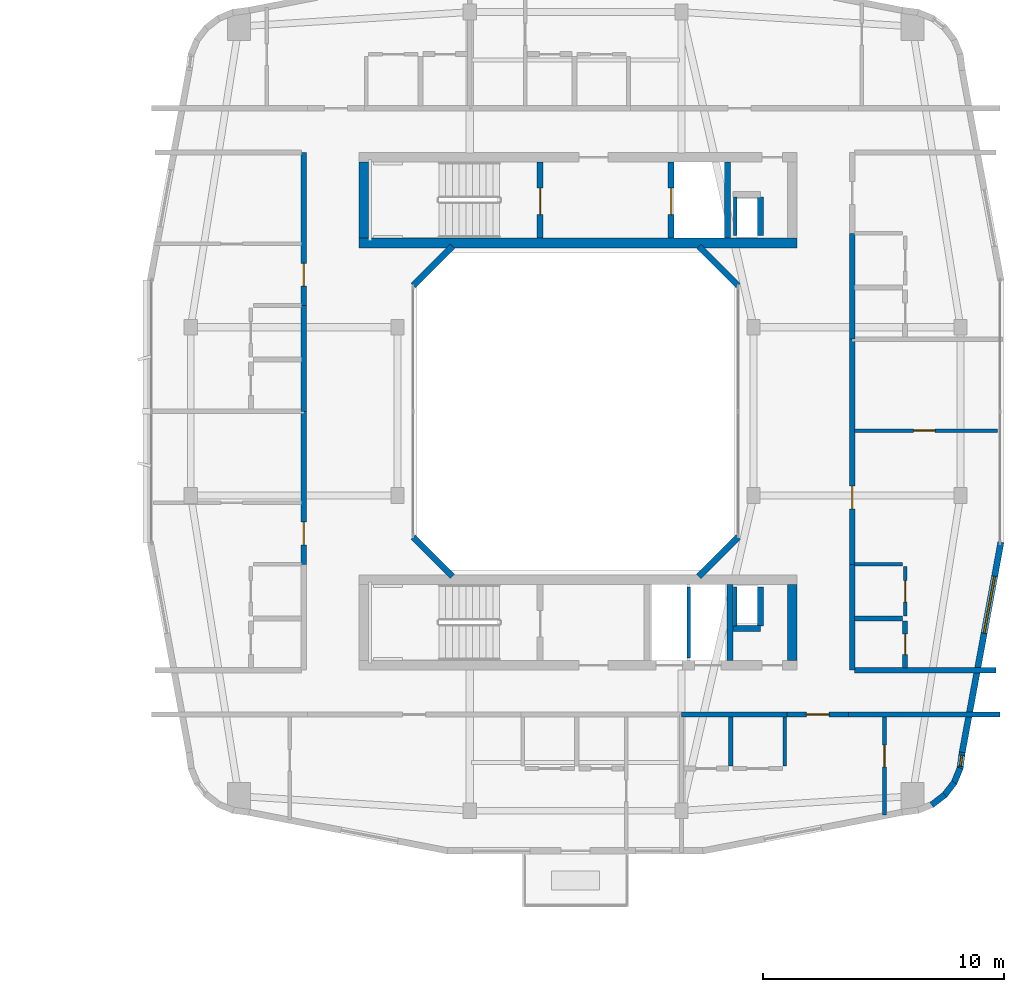
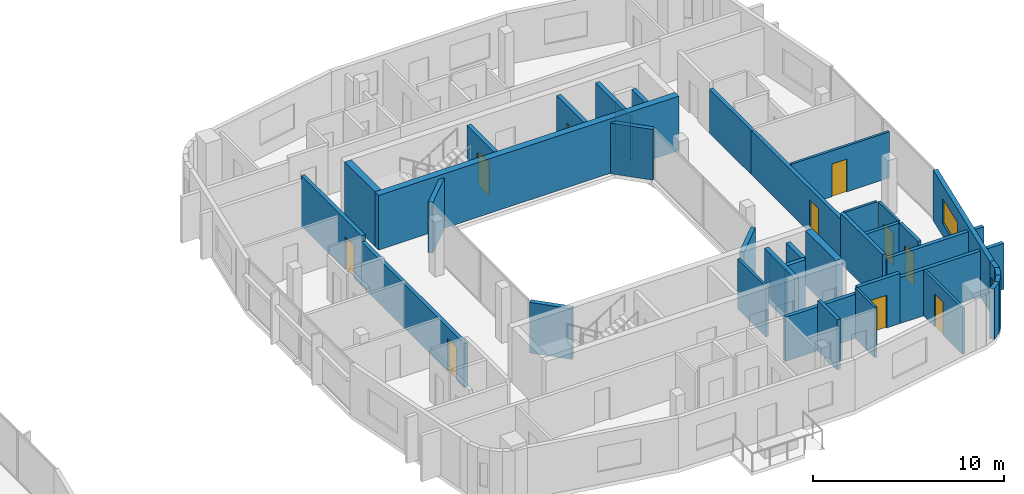
# One storey, part 14 of 22: 40 walls, 10 doors, 2 windows, 12 openings.
"""IFC4 building model written with IfcOpenShell, lengths in metres."""

from ifc_helpers import new_model, si_unit, derived_unit, direction, frame, frame_2d, origin, place, context, subcontext, project, spatial, rectangle, extrude, material, layer, layer_set, type_object, element, fill, save


model = new_model("IFC4")

# Units and contexts
model_context = context("Model", 3, precision=1e-05, world=origin(), true_north=direction((0.0, 1.0)))
body_context = subcontext(model_context, "Body", "Model", "MODEL_VIEW")
ifc_project = project(units=[si_unit("LENGTHUNIT", "METRE"), si_unit("AREAUNIT", "SQUARE_METRE"), si_unit("VOLUMEUNIT", "CUBIC_METRE"), si_unit("PLANEANGLEUNIT", "RADIAN"), si_unit("MASSUNIT", "GRAM", prefix="KILO"), derived_unit("THERMALTRANSMITTANCEUNIT", [(si_unit("POWERUNIT", "WATT"), 1), (si_unit("LENGTHUNIT", "METRE"), -2), (si_unit("THERMODYNAMICTEMPERATUREUNIT", "KELVIN"), -1)])], contexts=[model_context])

# Site, building, storey
site_placement = place(None, origin())
site = spatial("IfcSite", under=ifc_project, at=site_placement, CompositionType="ELEMENT")
building_placement = place(site_placement, origin())
building = spatial("IfcBuilding", under=site, at=building_placement, Name="Kivonza Crest Hotel", CompositionType="ELEMENT")
storey_placement = place(building_placement, frame((0.0, 0.0, 112.5)))
storey = spatial("IfcBuildingStorey", under=building, at=storey_placement, Name="L30", CompositionType="ELEMENT", Elevation=112.5)

# Walls
ifc_material_1 = material(Name="Autoclaved aerated concrete blockwork", Category="masonry")
ifc_layer_1 = layer(ifc_material_1, 0.219970703125)
ifc_layer_set_1 = layer_set([ifc_layer_1], Name="Autoclaved aerated concrete blockwork")
wall_type_1 = type_object("IfcWallType", Name="WL-ACOU-220", PredefinedType="SOLIDWALL", material=ifc_layer_set_1)
wall_1_placement = place(storey_placement, frame((81.39990234375, 12.39990234375, 0.0), z_axis=(0.0, 0.0, 1.0), x_axis=(1.0, 0.0, 0.0)))
element("IfcWall", 1, at=wall_1_placement, inside=storey, type_object=wall_type_1, Name="L30 interior partition WA-L30-A04-LCORR", PredefinedType="SOLIDWALL", context=body_context, shape_type="SweptSolid", body=[
    extrude(rectangle(XDim=4.380126953125, YDim=0.219970703125, at=frame_2d((2.18994140625, 0.0))), origin(), (0.0, 0.0, 1.0), 2.824951171875),
])
wall_2_placement = place(storey_placement, frame((88.35009765625, 12.39990234375, 0.0), z_axis=(0.0, 0.0, 1.0), x_axis=(1.0, 0.0, 0.0)))
element("IfcWall", 2, at=wall_2_placement, inside=storey, type_object=wall_type_1, Name="L30 interior partition WA-L30-A04-RCORR", PredefinedType="SOLIDWALL", context=body_context, shape_type="SweptSolid", body=[
    extrude(rectangle(XDim=6.289794921875, YDim=0.219970703125, at=frame_2d((3.14501953125, 0.0))), origin(), (0.0, 0.0, 1.0), 2.945068359375),
])

# Wall, opening, door
wall_3_placement = place(storey_placement, frame((85.780029296875, 12.39990234375, 0.0), z_axis=(0.0, 0.0, 1.0), x_axis=(1.0, 0.0, 0.0)))
wall_3 = element("IfcWall", 3, at=wall_3_placement, inside=storey, type_object=wall_type_1, Name="L30 interior partition WA-L30-A04-MCORR", PredefinedType="SOLIDWALL", context=body_context, shape_type="SweptSolid", body=[
    extrude(rectangle(XDim=2.570068359375, YDim=0.219970703125, at=frame_2d((1.28515625, 0.0))), origin(), (0.0, 0.0, 1.0), 3.219970703125),
])
opening_1_placement = place(wall_3_placement, frame((0.81005859375, 0.0, 0.0)))
opening_1 = element("IfcOpeningElement", 4, at=opening_1_placement, cuts=wall_3, Name="Opening DU-60", PredefinedType="OPENING", context=body_context, shape_type="SweptSolid", body=[
    extrude(rectangle(XDim=0.949951171875, YDim=2.10009765625, at=frame_2d((0.47509765625, 1.050048828125))), frame((0.0, 0.1201171875, 0.0), z_axis=(0.0, -1.0, 0.0), x_axis=(1.0, 0.0, 0.0)), (0.0, 0.0, 1.0), 0.239990234375),
])
ifc_material_2 = material(Name="Hardwood timber oak", Category="wood")
door_type_1 = type_object("IfcDoorType", Name="DR-UNIT-950", OperationType="NOTDEFINED", PredefinedType="DOOR", material=ifc_material_2)
door_1_placement = place(opening_1_placement, frame((0.949951171875, 0.0, 0.0), z_axis=(0.0, 0.0, 1.0), x_axis=(-1.0, 0.0, 0.0)))
door_1 = element("IfcDoor", 5, at=door_1_placement, inside=storey, type_object=door_type_1, Name="L30 A04 apartment entrance fire door", OperationType="SINGLE_SWING_RIGHT", OverallHeight=2.10009765625, OverallWidth=0.949951171875, PredefinedType="DOOR", context=body_context, shape_type="SweptSolid", body=[
    extrude(rectangle(XDim=0.949951171875, YDim=2.10009765625, at=frame_2d((0.47509765625, 1.050048828125))), frame((0.0, 0.02490234375, 0.0), z_axis=(0.0, -1.0, 0.0), x_axis=(1.0, 0.0, 0.0)), (0.0, 0.0, 1.0), 0.050048828125),
])
fill(opening_1, door_1)

wall_4_placement = place(storey_placement, frame((65.699951171875, 18.639892578125, 0.0), z_axis=(0.0, 0.0, 1.0), x_axis=(0.0, 1.0, 0.0)))
wall_4 = element("IfcWall", 6, at=wall_4_placement, inside=storey, type_object=wall_type_1, Name="L30 interior partition WA-L30-A05-MCORR", PredefinedType="SOLIDWALL", context=body_context, shape_type="SweptSolid", body=[
    extrude(rectangle(XDim=6.360107421875, YDim=0.219970703125, at=frame_2d((3.18017578125, 0.0))), origin(), (0.0, 0.0, 1.0), 2.824951171875),
])
opening_2_placement = place(wall_4_placement, frame((0.804931640625, 0.0, 0.0)))
opening_2 = element("IfcOpeningElement", 7, at=opening_2_placement, cuts=wall_4, Name="Opening DU-60", PredefinedType="OPENING", context=body_context, shape_type="SweptSolid", body=[
    extrude(rectangle(XDim=0.949951171875, YDim=2.10009765625, at=frame_2d((0.47509765625, 1.050048828125))), frame((0.0, 0.1201171875, 0.0), z_axis=(0.0, -1.0, 0.0), x_axis=(1.0, 0.0, 0.0)), (0.0, 0.0, 1.0), 0.239990234375),
])
door_2_placement = place(opening_2_placement, origin())
door_2 = element("IfcDoor", 8, at=door_2_placement, inside=storey, type_object=door_type_1, Name="L30 A05 apartment entrance fire door", OperationType="SINGLE_SWING_LEFT", OverallHeight=2.10009765625, OverallWidth=0.949951171875, PredefinedType="DOOR", context=body_context, shape_type="SweptSolid", body=[
    extrude(rectangle(XDim=0.949951171875, YDim=2.10009765625, at=frame_2d((0.47509765625, 1.050048828125))), frame((0.0, 0.02490234375, 0.0), z_axis=(0.0, -1.0, 0.0), x_axis=(1.0, 0.0, 0.0)), (0.0, 0.0, 1.0), 0.050048828125),
])
fill(opening_2, door_2)

# Wall
wall_5_placement = place(storey_placement, frame((65.699951171875, 25.0, 0.0), z_axis=(0.0, 0.0, 1.0), x_axis=(0.0, 1.0, 0.0)))
element("IfcWall", 9, at=wall_5_placement, inside=storey, type_object=wall_type_1, Name="L30 interior partition WA-L30-A06-BCORR", PredefinedType="SOLIDWALL", context=body_context, shape_type="SweptSolid", body=[
    extrude(rectangle(XDim=4.39990234375, YDim=0.219970703125, at=frame_2d((2.199951171875, 0.0))), origin(), (0.0, 0.0, 1.0), 2.824951171875),
])

# Wall, opening, door
wall_6_placement = place(storey_placement, frame((65.699951171875, 29.39990234375, 0.0), z_axis=(0.0, 0.0, 1.0), x_axis=(0.0, 1.0, 0.0)))
wall_6 = element("IfcWall", 10, at=wall_6_placement, inside=storey, type_object=wall_type_1, Name="L30 interior partition WA-L30-A06-MCORR", PredefinedType="SOLIDWALL", context=body_context, shape_type="SweptSolid", body=[
    extrude(rectangle(XDim=6.360107421875, YDim=0.219970703125, at=frame_2d((3.18017578125, 0.0))), origin(), (0.0, 0.0, 1.0), 3.219970703125),
])
opening_3_placement = place(wall_6_placement, frame((0.804931640625, 0.0, 0.0)))
opening_3 = element("IfcOpeningElement", 11, at=opening_3_placement, cuts=wall_6, Name="Opening DU-60", PredefinedType="OPENING", context=body_context, shape_type="SweptSolid", body=[
    extrude(rectangle(XDim=0.949951171875, YDim=2.10009765625, at=frame_2d((0.47509765625, 1.050048828125))), frame((0.0, 0.1201171875, 0.0), z_axis=(0.0, -1.0, 0.0), x_axis=(1.0, 0.0, 0.0)), (0.0, 0.0, 1.0), 0.239990234375),
])
door_3_placement = place(opening_3_placement, origin())
door_3 = element("IfcDoor", 12, at=door_3_placement, inside=storey, type_object=door_type_1, Name="L30 A06 apartment entrance fire door", OperationType="SINGLE_SWING_RIGHT", OverallHeight=2.10009765625, OverallWidth=0.949951171875, PredefinedType="DOOR", context=body_context, shape_type="SweptSolid", body=[
    extrude(rectangle(XDim=0.949951171875, YDim=2.10009765625, at=frame_2d((0.47509765625, 1.050048828125))), frame((0.0, 0.02490234375, 0.0), z_axis=(0.0, -1.0, 0.0), x_axis=(1.0, 0.0, 0.0)), (0.0, 0.0, 1.0), 0.050048828125),
])
fill(opening_3, door_3)

# Walls
wall_7_placement = place(storey_placement, frame((88.60009765625, 14.239990234375, 0.0), z_axis=(0.0, 0.0, 1.0), x_axis=(1.0, 0.0, 0.0)))
element("IfcWall", 13, at=wall_7_placement, inside=storey, type_object=wall_type_1, Name="L30 interior partition WA-L30-T2E-ENDS", PredefinedType="SOLIDWALL", context=body_context, shape_type="SweptSolid", body=[
    extrude(rectangle(XDim=5.8798828125, YDim=0.219970703125, at=frame_2d((2.93994140625, 0.0))), origin(), (0.0, 0.0, 1.0), 2.945068359375),
])
wall_8_placement = place(storey_placement, frame((88.5, 14.239990234375, 0.0), z_axis=(0.0, 0.0, 1.0), x_axis=(0.0, 1.0, 0.0)))
element("IfcWall", 14, at=wall_8_placement, inside=storey, type_object=wall_type_1, Name="L30 interior partition WA-L30-A07-BCORR", PredefinedType="SOLIDWALL", context=body_context, shape_type="SweptSolid", body=[
    extrude(rectangle(XDim=4.39990234375, YDim=0.219970703125, at=frame_2d((2.199951171875, 0.0))), origin(), (0.0, 0.0, 1.0), 3.219970703125),
])

# Wall, opening, door
wall_9_placement = place(storey_placement, frame((88.5, 18.639892578125, 0.0), z_axis=(0.0, 0.0, 1.0), x_axis=(0.0, 1.0, 0.0)))
wall_9 = element("IfcWall", 15, at=wall_9_placement, inside=storey, type_object=wall_type_1, Name="L30 interior partition WA-L30-A07-MCORR", PredefinedType="SOLIDWALL", context=body_context, shape_type="SweptSolid", body=[
    extrude(rectangle(XDim=9.360107421875, YDim=0.219970703125, at=frame_2d((4.68017578125, 0.0))), origin(), (0.0, 0.0, 1.0), 2.824951171875),
])
opening_4_placement = place(wall_9_placement, frame((2.304931640625, 0.0, 0.0)))
opening_4 = element("IfcOpeningElement", 16, at=opening_4_placement, cuts=wall_9, Name="Opening DU-60", PredefinedType="OPENING", context=body_context, shape_type="SweptSolid", body=[
    extrude(rectangle(XDim=0.949951171875, YDim=2.10009765625, at=frame_2d((0.47509765625, 1.050048828125))), frame((0.0, 0.1201171875, 0.0), z_axis=(0.0, -1.0, 0.0), x_axis=(1.0, 0.0, 0.0)), (0.0, 0.0, 1.0), 0.239990234375),
])
door_4_placement = place(opening_4_placement, frame((0.949951171875, 0.0, 0.0), z_axis=(0.0, 0.0, 1.0), x_axis=(-1.0, 0.0, 0.0)))
door_4 = element("IfcDoor", 17, at=door_4_placement, inside=storey, type_object=door_type_1, Name="L30 A07 apartment entrance fire door", OperationType="SINGLE_SWING_LEFT", OverallHeight=2.10009765625, OverallWidth=0.949951171875, PredefinedType="DOOR", context=body_context, shape_type="SweptSolid", body=[
    extrude(rectangle(XDim=0.949951171875, YDim=2.10009765625, at=frame_2d((0.47509765625, 1.050048828125))), frame((0.0, 0.02490234375, 0.0), z_axis=(0.0, -1.0, 0.0), x_axis=(1.0, 0.0, 0.0)), (0.0, 0.0, 1.0), 0.050048828125),
])
fill(opening_4, door_4)

# Walls
wall_10_placement = place(storey_placement, frame((88.5, 28.0, 0.0), z_axis=(0.0, 0.0, 1.0), x_axis=(0.0, 1.0, 0.0)))
element("IfcWall", 18, at=wall_10_placement, inside=storey, type_object=wall_type_1, Name="L30 interior partition WA-L30-A08-BCORR", PredefinedType="SOLIDWALL", context=body_context, shape_type="SweptSolid", body=[
    extrude(rectangle(XDim=4.39990234375, YDim=0.219970703125, at=frame_2d((2.199951171875, 0.0))), origin(), (0.0, 0.0, 1.0), 2.824951171875),
])
ifc_material_3 = material(Name="Concrete C50/60", Category="concrete")
ifc_layer_2 = layer(ifc_material_3, 0.39990234375)
ifc_layer_set_2 = layer_set([ifc_layer_2], Name="Concrete C50/60")
wall_type_2 = type_object("IfcWallType", Name="WL-CORE-400", PredefinedType="SHEAR", material=ifc_layer_set_2)
wall_11_placement = place(storey_placement, frame((68.0, 32.0, 0.0), z_axis=(0.0, 0.0, 1.0), x_axis=(1.0, 0.0, 0.0)))
element("IfcWall", 19, at=wall_11_placement, inside=storey, type_object=wall_type_2, Name="Core wall T2-N South L30", PredefinedType="SHEAR", context=body_context, shape_type="SweptSolid", body=[
    extrude(rectangle(XDim=18.199951171875, YDim=0.39990234375, at=frame_2d((9.10009765625, 0.0))), origin(), (0.0, 0.0, 1.0), 3.5),
])
for number, where, z_axis, x_axis, name in (
    (20, (68.199951171875, 32.199951171875, 0.0), (0.0, 0.0, 1.0), (0.0, 1.0, 0.0), "Core wall T2-N West L30"),
    (21, (86.0, 14.639892578125, 0.0), (0.0, 0.0, 1.0), (0.0, 1.0, 0.0), "Core wall T2-S East L30"),
):
    element("IfcWall", number, at=place(storey_placement, frame(where, z_axis=z_axis, x_axis=x_axis)), inside=storey, type_object=wall_type_2, Name=name, PredefinedType="SHEAR", context=body_context, shape_type="SweptSolid", body=[
        extrude(rectangle(XDim=3.16015625, YDim=0.39990234375, at=frame_2d((1.580078125, 0.0))), origin(), (0.0, 0.0, 1.0), 3.5),
    ])
ifc_material_4 = material(Name="Precast concrete C40/50", Category="concrete")
ifc_layer_3 = layer(ifc_material_4, 0.260009765625)
ifc_layer_set_3 = layer_set([ifc_layer_3], Name="Precast concrete C40/50")
wall_type_3 = type_object("IfcWallType", Name="WL-EXT-260", PredefinedType="STANDARD", material=ifc_layer_set_3)
for number, where, z_axis, x_axis, name in (
    (22, (91.801025390625, 8.635986328125, 0.0), (0.0, 0.0, 1.0), (0.792637067512, 0.609693758543, 0.0), "L30 T2 exterior insulated wall 12"),
    (23, (92.320068359375, 9.02099609375, 0.0), (0.0, 0.0, 1.0), (0.609472651958, 0.792807092876, 0.0), "L30 T2 exterior insulated wall 13"),
):
    element("IfcWall", number, at=place(storey_placement, frame(where, z_axis=z_axis, x_axis=x_axis)), inside=storey, type_object=wall_type_3, Name=name, PredefinedType="STANDARD", context=body_context, shape_type="SweptSolid", body=[
        extrude(rectangle(XDim=0.69384765625, YDim=0.260009765625, at=frame_2d((0.346923828125, 0.0))), origin(), (0.0, 0.0, 1.0), 3.25),
    ])
wall_12_placement = place(storey_placement, frame((92.721923828125, 9.527099609375, 0.0), z_axis=(0.0, 0.0, 1.0), x_axis=(0.382289608286, 0.924042561464, 0.0)))
element("IfcWall", 24, at=wall_12_placement, inside=storey, type_object=wall_type_3, Name="L30 T2 exterior insulated wall 14", PredefinedType="STANDARD", context=body_context, shape_type="SweptSolid", body=[
    extrude(rectangle(XDim=0.693603515625, YDim=0.260009765625, at=frame_2d((0.3466796875, 0.0))), origin(), (0.0, 0.0, 1.0), 3.25),
])

# Wall, opening, window
wall_13_placement = place(storey_placement, frame((92.97900390625, 10.118896484375, 0.0), z_axis=(0.0, 0.0, 1.0), x_axis=(0.130614135366, 0.991433279471, 0.0)))
wall_13 = element("IfcWall", 25, at=wall_13_placement, inside=storey, type_object=wall_type_3, Name="L30 T2 exterior insulated wall 15", PredefinedType="STANDARD", context=body_context, shape_type="SweptSolid", body=[
    extrude(rectangle(XDim=0.712158203125, YDim=0.260009765625, at=frame_2d((0.35595703125, 0.0))), origin(), (0.0, 0.0, 1.0), 3.25),
])
opening_5_placement = place(wall_13_placement, frame((0.131103515625, 0.0, 0.85009765625)))
opening_5 = element("IfcOpeningElement", 26, at=opening_5_placement, cuts=wall_13, Name="Opening WN-11", PredefinedType="OPENING", context=body_context, shape_type="SweptSolid", body=[
    extrude(rectangle(XDim=0.449951171875, YDim=1.5, at=frame_2d((0.22509765625, 0.75))), frame((0.0, 0.14013671875, 0.0), z_axis=(0.0, -1.0, 0.0), x_axis=(1.0, 0.0, 0.0)), (0.0, 0.0, 1.0), 0.280029296875),
])
ifc_material_5 = material(Name="Thermally broken bronze aluminium and low-E double glazing", Category="aluminium")
window_type_1 = type_object("IfcWindowType", Name="WN-045x150", PartitioningType="SINGLE_PANEL", PredefinedType="WINDOW", material=ifc_material_5)
window_1_placement = place(opening_5_placement, origin())
window_1 = element("IfcWindow", 27, at=window_1_placement, inside=storey, type_object=window_type_1, Name="L30 corner vision window 4", OverallHeight=1.5, OverallWidth=0.449951171875, PartitioningType="SINGLE_PANEL", PredefinedType="WINDOW", context=body_context, shape_type="SweptSolid", body=[
    extrude(rectangle(XDim=0.449951171875, YDim=1.5, at=frame_2d((0.22509765625, 0.75))), frame((0.0, 0.030029296875, 0.0), z_axis=(0.0, -1.0, 0.0), x_axis=(1.0, 0.0, 0.0)), (0.0, 0.0, 1.0), 0.06005859375),
])
fill(opening_5, window_1)

wall_14_placement = place(storey_placement, frame((93.071044921875, 10.81591796875, 0.0), z_axis=(0.0, 0.0, 1.0), x_axis=(0.181209963057, 0.983444431215, 0.0)))
wall_14 = element("IfcWall", 28, at=wall_14_placement, inside=storey, type_object=wall_type_3, Name="L30 T2 exterior insulated wall 16", PredefinedType="STANDARD", context=body_context, shape_type="SweptSolid", body=[
    extrude(rectangle(XDim=8.889404296875, YDim=0.260009765625, at=frame_2d((4.44482421875, 0.0))), origin(), (0.0, 0.0, 1.0), 3.25),
])
opening_6_placement = place(wall_14_placement, frame((5.044921875, 0.0, 0.800048828125)))
opening_6 = element("IfcOpeningElement", 29, at=opening_6_placement, cuts=wall_14, Name="Opening WN-05", PredefinedType="OPENING", context=body_context, shape_type="SweptSolid", body=[
    extrude(rectangle(XDim=2.39990234375, YDim=1.60009765625, at=frame_2d((1.199951171875, 0.800048828125))), frame((0.0, 0.14013671875, 0.0), z_axis=(0.0, -1.0, 0.0), x_axis=(1.0, 0.0, 0.0)), (0.0, 0.0, 1.0), 0.280029296875),
])
window_type_2 = type_object("IfcWindowType", Name="WN-240x160", PartitioningType="TRIPLE_PANEL_VERTICAL", PredefinedType="WINDOW", material=ifc_material_5)
window_2_placement = place(opening_6_placement, origin())
window_2 = element("IfcWindow", 30, at=window_2_placement, inside=storey, type_object=window_type_2, Name="L30 T2 facade window 16", OverallHeight=1.60009765625, OverallWidth=2.39990234375, PartitioningType="SINGLE_PANEL", PredefinedType="WINDOW", context=body_context, shape_type="SweptSolid", body=[
    extrude(rectangle(XDim=2.39990234375, YDim=1.60009765625, at=frame_2d((1.199951171875, 0.800048828125))), frame((0.0, 0.030029296875, 0.0), z_axis=(0.0, -1.0, 0.0), x_axis=(1.0, 0.0, 0.0)), (0.0, 0.0, 1.0), 0.06005859375),
])
fill(opening_6, window_2)

# Walls
for number, where, z_axis, x_axis, name in (
    (31, (82.1220703125, 18.137939453125, 0.0), (0.0, 0.0, 1.0), (0.707106781187, 0.707106781187, 0.0), "L30 T2 light-well exterior wall 2"),
    (32, (83.756103515625, 30.22802734375, 0.0), (0.0, 0.0, 1.0), (-0.707106781187, 0.707106781187, 0.0), "L30 T2 light-well exterior wall 4"),
    (33, (71.8779296875, 31.862060546875, 0.0), (0.0, 0.0, 1.0), (-0.707106781187, -0.707106781187, 0.0), "L30 T2 light-well exterior wall 6"),
    (34, (70.243896484375, 19.77197265625, 0.0), (0.0, 0.0, 1.0), (0.707106781187, -0.707106781187, 0.0), "L30 T2 light-well exterior wall 8"),
):
    element("IfcWall", number, at=place(storey_placement, frame(where, z_axis=z_axis, x_axis=x_axis)), inside=storey, type_object=wall_type_3, Name=name, PredefinedType="STANDARD", context=body_context, shape_type="SweptSolid", body=[
        extrude(rectangle(XDim=2.310791015625, YDim=0.260009765625, at=frame_2d((1.1552734375, 0.0))), origin(), (0.0, 0.0, 1.0), 3.25),
    ])
ifc_material_6 = material(Name="Concrete blockwork fire-compartment wall", Category="masonry")
ifc_layer_4 = layer(ifc_material_6, 0.25)
ifc_layer_set_4 = layer_set([ifc_layer_4], Name="Concrete blockwork fire-compartment wall")
wall_type_4 = type_object("IfcWallType", Name="WL-FIRE-250", PredefinedType="SOLIDWALL", material=ifc_layer_set_4)
for number, where, z_axis, x_axis, name in (
    (35, (84.679931640625, 32.300048828125, 0.0), (0.0, 0.0, 1.0), (0.0, 1.0, 0.0), "L30 interior partition WA-L30-T2-N-MEPR-E"),
    (36, (84.679931640625, 16.080078125, 0.0), (0.0, 0.0, 1.0), (0.0, 1.0, 0.0), "L30 interior partition WA-L30-T2-S-MEPR-E"),
):
    element("IfcWall", number, at=place(storey_placement, frame(where, z_axis=z_axis, x_axis=x_axis)), inside=storey, type_object=wall_type_4, Name=name, PredefinedType="SOLIDWALL", context=body_context, shape_type="SweptSolid", body=[
        extrude(rectangle(XDim=1.619873046875, YDim=0.25, at=frame_2d((0.81005859375, 0.0))), origin(), (0.0, 0.0, 1.0), 3.219970703125),
    ])
wall_15_placement = place(storey_placement, frame((83.550048828125, 15.97998046875, 0.0), z_axis=(0.0, 0.0, 1.0), x_axis=(1.0, 0.0, 0.0)))
element("IfcWall", 37, at=wall_15_placement, inside=storey, type_object=wall_type_4, Name="L30 interior partition WA-L30-T2-S-MEPR-H", PredefinedType="SOLIDWALL", context=body_context, shape_type="SweptSolid", body=[
    extrude(rectangle(XDim=1.1298828125, YDim=0.25, at=frame_2d((0.56494140625, 0.0))), origin(), (0.0, 0.0, 1.0), 3.219970703125),
])
ifc_material_7 = material(Name="Twin-stud acoustic gypsum board partition", Category="gypsum")
ifc_layer_5 = layer(ifc_material_7, 0.14990234375)
ifc_layer_set_5 = layer_set([ifc_layer_5], Name="Twin-stud acoustic gypsum board partition")
wall_type_5 = type_object("IfcWallType", Name="WL-PART-150", PredefinedType="PARTITIONING", material=ifc_layer_set_5)
for number, where, z_axis, x_axis, name in (
    (38, (83.6298828125, 32.300048828125, 0.0), (0.0, 0.0, 1.0), (0.0, 1.0, 0.0), "L30 interior partition WA-L30-T2-N-MEPR-W"),
    (39, (83.6298828125, 16.080078125, 0.0), (0.0, 0.0, 1.0), (0.0, 1.0, 0.0), "L30 interior partition WA-L30-T2-S-MEPR-W"),
):
    element("IfcWall", number, at=place(storey_placement, frame(where, z_axis=z_axis, x_axis=x_axis)), inside=storey, type_object=wall_type_5, Name=name, PredefinedType="PARTITIONING", context=body_context, shape_type="SweptSolid", body=[
        extrude(rectangle(XDim=1.619873046875, YDim=0.14990234375, at=frame_2d((0.81005859375, 0.0))), origin(), (0.0, 0.0, 1.0), 2.824951171875),
    ])
wall_16_placement = place(storey_placement, frame((81.699951171875, 14.739990234375, 0.0), z_axis=(0.0, 0.0, 1.0), x_axis=(0.0, 1.0, 0.0)))
element("IfcWall", 40, at=wall_16_placement, inside=storey, type_object=wall_type_5, Name="L30 interior partition WP-L30-T2-S-BSH-1", PredefinedType="PARTITIONING", context=body_context, shape_type="SweptSolid", body=[
    extrude(rectangle(XDim=2.9599609375, YDim=0.14990234375, at=frame_2d((1.47998046875, 0.0))), origin(), (0.0, 0.0, 1.0), 3.219970703125),
])

# Wall, opening, door
wall_17_placement = place(storey_placement, frame((89.840087890625, 8.214111328125, 0.0), z_axis=(0.0, 0.0, 1.0), x_axis=(0.0, 1.0, 0.0)))
wall_17 = element("IfcWall", 41, at=wall_17_placement, inside=storey, type_object=wall_type_5, Name="L30 interior partition WP-L30-A04-BDW1", PredefinedType="PARTITIONING", context=body_context, shape_type="SweptSolid", body=[
    extrude(rectangle(XDim=4.0859375, YDim=0.14990234375, at=frame_2d((2.04296875, 0.0))), origin(), (0.0, 0.0, 1.0), 2.945068359375),
])
opening_7_placement = place(wall_17_placement, frame((2.010009765625, 0.0, 0.0)))
opening_7 = element("IfcOpeningElement", 42, at=opening_7_placement, cuts=wall_17, Name="Opening DI-90", PredefinedType="OPENING", context=body_context, shape_type="SweptSolid", body=[
    extrude(rectangle(XDim=0.89990234375, YDim=2.10009765625, at=frame_2d((0.449951171875, 1.050048828125))), frame((0.0, 0.0849609375, 0.0), z_axis=(0.0, -1.0, 0.0), x_axis=(1.0, 0.0, 0.0)), (0.0, 0.0, 1.0), 0.169921875),
])
door_type_2 = type_object("IfcDoorType", Name="DR-INT-900", OperationType="NOTDEFINED", PredefinedType="DOOR", material=ifc_material_2)
door_5_placement = place(opening_7_placement, origin())
door_5 = element("IfcDoor", 43, at=door_5_placement, inside=storey, type_object=door_type_2, Name="L30 A04 bedroom 1 door", OperationType="SINGLE_SWING_LEFT", OverallHeight=2.10009765625, OverallWidth=0.89990234375, PredefinedType="DOOR", context=body_context, shape_type="SweptSolid", body=[
    extrude(rectangle(XDim=0.89990234375, YDim=2.10009765625, at=frame_2d((0.449951171875, 1.050048828125))), frame((0.0, 0.02490234375, 0.0), z_axis=(0.0, -1.0, 0.0), x_axis=(1.0, 0.0, 0.0)), (0.0, 0.0, 1.0), 0.050048828125),
])
fill(opening_7, door_5)

# Wall
wall_18_placement = place(storey_placement, frame((85.699951171875, 10.25, 0.0), z_axis=(0.0, 0.0, 1.0), x_axis=(0.0, 1.0, 0.0)))
element("IfcWall", 44, at=wall_18_placement, inside=storey, type_object=wall_type_5, Name="L30 interior partition WP-L30-A04-KF", PredefinedType="PARTITIONING", context=body_context, shape_type="SweptSolid", body=[
    extrude(rectangle(XDim=2.050048828125, YDim=0.14990234375, at=frame_2d((1.02490234375, 0.0))), origin(), (0.0, 0.0, 1.0), 3.219970703125),
])

# Wall, opening, door
wall_19_placement = place(storey_placement, frame((88.60009765625, 24.199951171875, 0.0), z_axis=(0.0, 0.0, 1.0), x_axis=(1.0, 0.0, 0.0)))
wall_19 = element("IfcWall", 45, at=wall_19_placement, inside=storey, type_object=wall_type_5, Name="L30 interior partition WP-L30-A07-BD1", PredefinedType="PARTITIONING", context=body_context, shape_type="SweptSolid", body=[
    extrude(rectangle(XDim=5.93994140625, YDim=0.14990234375, at=frame_2d((2.969970703125, 0.0))), origin(), (0.0, 0.0, 1.0), 2.945068359375),
])
opening_8_placement = place(wall_19_placement, frame((2.449951171875, 0.0, 0.0)))
opening_8 = element("IfcOpeningElement", 46, at=opening_8_placement, cuts=wall_19, Name="Opening DI-90", PredefinedType="OPENING", context=body_context, shape_type="SweptSolid", body=[
    extrude(rectangle(XDim=0.89990234375, YDim=2.10009765625, at=frame_2d((0.449951171875, 1.050048828125))), frame((0.0, 0.0849609375, 0.0), z_axis=(0.0, -1.0, 0.0), x_axis=(1.0, 0.0, 0.0)), (0.0, 0.0, 1.0), 0.169921875),
])
door_6_placement = place(opening_8_placement, origin())
door_6 = element("IfcDoor", 47, at=door_6_placement, inside=storey, type_object=door_type_2, Name="L30 A07 bedroom door", OperationType="SINGLE_SWING_RIGHT", OverallHeight=2.10009765625, OverallWidth=0.89990234375, PredefinedType="DOOR", context=body_context, shape_type="SweptSolid", body=[
    extrude(rectangle(XDim=0.89990234375, YDim=2.10009765625, at=frame_2d((0.449951171875, 1.050048828125))), frame((0.0, 0.02490234375, 0.0), z_axis=(0.0, -1.0, 0.0), x_axis=(1.0, 0.0, 0.0)), (0.0, 0.0, 1.0), 0.050048828125),
])
fill(opening_8, door_6)

# Wall
wall_20_placement = place(storey_placement, frame((88.60009765625, 18.639892578125, 0.0), z_axis=(0.0, 0.0, 1.0), x_axis=(1.0, 0.0, 0.0)))
element("IfcWall", 48, at=wall_20_placement, inside=storey, type_object=wall_type_5, Name="L30 interior partition WP-L30-A07-KF", PredefinedType="PARTITIONING", context=body_context, shape_type="SweptSolid", body=[
    extrude(rectangle(XDim=2.0, YDim=0.14990234375, at=frame_2d((1.0, 0.0))), origin(), (0.0, 0.0, 1.0), 3.219970703125),
])

# Wall, opening, door
wall_21_placement = place(storey_placement, frame((90.699951171875, 16.489990234375, 0.0), z_axis=(0.0, 0.0, 1.0), x_axis=(0.0, 1.0, 0.0)))
wall_21 = element("IfcWall", 49, at=wall_21_placement, inside=storey, type_object=wall_type_5, Name="L30 interior partition WP-L30-A07-KSVC", PredefinedType="PARTITIONING", context=body_context, shape_type="SweptSolid", body=[
    extrude(rectangle(XDim=2.050048828125, YDim=0.14990234375, at=frame_2d((1.02490234375, 0.0))), origin(), (0.0, 0.0, 1.0), 3.219970703125),
])
opening_9_placement = place(wall_21_placement, frame((0.574951171875, 0.0, 0.0)))
opening_9 = element("IfcOpeningElement", 50, at=opening_9_placement, cuts=wall_21, Name="Opening DI-90", PredefinedType="OPENING", context=body_context, shape_type="SweptSolid", body=[
    extrude(rectangle(XDim=0.89990234375, YDim=2.10009765625, at=frame_2d((0.449951171875, 1.050048828125))), frame((0.0, 0.0849609375, 0.0), z_axis=(0.0, -1.0, 0.0), x_axis=(1.0, 0.0, 0.0)), (0.0, 0.0, 1.0), 0.169921875),
])
door_7_placement = place(opening_9_placement, frame((0.89990234375, 0.0, 0.0), z_axis=(0.0, 0.0, 1.0), x_axis=(-1.0, 0.0, 0.0)))
door_7 = element("IfcDoor", 51, at=door_7_placement, inside=storey, type_object=door_type_2, Name="L30 A07 apartment kitchen door", OperationType="SINGLE_SWING_LEFT", OverallHeight=2.10009765625, OverallWidth=0.89990234375, PredefinedType="DOOR", context=body_context, shape_type="SweptSolid", body=[
    extrude(rectangle(XDim=0.89990234375, YDim=2.10009765625, at=frame_2d((0.449951171875, 1.050048828125))), frame((0.0, 0.02490234375, 0.0), z_axis=(0.0, -1.0, 0.0), x_axis=(1.0, 0.0, 0.0)), (0.0, 0.0, 1.0), 0.050048828125),
])
fill(opening_9, door_7)

# Walls
ifc_material_8 = material(Name="Moisture-resistant plumbing chase partition wall", Category="gypsum")
ifc_layer_6 = layer(ifc_material_8, 0.199951171875)
ifc_layer_set_6 = layer_set([ifc_layer_6], Name="Moisture-resistant plumbing chase partition wall")
wall_type_6 = type_object("IfcWallType", Name="WL-PLUMB-200", PredefinedType="PLUMBINGWALL", material=ifc_layer_set_6)
wall_22_placement = place(storey_placement, frame((83.449951171875, 10.25, 0.0), z_axis=(0.0, 0.0, 1.0), x_axis=(0.0, 1.0, 0.0)))
element("IfcWall", 52, at=wall_22_placement, inside=storey, type_object=wall_type_6, Name="L30 interior partition WW-L30-A04-BK", PredefinedType="PLUMBINGWALL", context=body_context, shape_type="SweptSolid", body=[
    extrude(rectangle(XDim=2.050048828125, YDim=0.199951171875, at=frame_2d((1.02490234375, 0.0))), origin(), (0.0, 0.0, 1.0), 3.219970703125),
])
wall_23_placement = place(storey_placement, frame((88.60009765625, 16.389892578125, 0.0), z_axis=(0.0, 0.0, 1.0), x_axis=(1.0, 0.0, 0.0)))
element("IfcWall", 53, at=wall_23_placement, inside=storey, type_object=wall_type_6, Name="L30 interior partition WW-L30-A07-BK", PredefinedType="PLUMBINGWALL", context=body_context, shape_type="SweptSolid", body=[
    extrude(rectangle(XDim=2.0, YDim=0.199951171875, at=frame_2d((1.0, 0.0))), origin(), (0.0, 0.0, 1.0), 3.219970703125),
])

# Wall, opening, door
wall_24_placement = place(storey_placement, frame((90.699951171875, 14.340087890625, 0.0), z_axis=(0.0, 0.0, 1.0), x_axis=(0.0, 1.0, 0.0)))
wall_24 = element("IfcWall", 54, at=wall_24_placement, inside=storey, type_object=wall_type_6, Name="L30 interior partition WW-L30-A07-BSVC", PredefinedType="PLUMBINGWALL", context=body_context, shape_type="SweptSolid", body=[
    extrude(rectangle(XDim=1.949951171875, YDim=0.199951171875, at=frame_2d((0.97509765625, 0.0))), origin(), (0.0, 0.0, 1.0), 3.219970703125),
])
opening_10_placement = place(wall_24_placement, frame((0.550048828125, 0.0, 0.0)))
opening_10 = element("IfcOpeningElement", 55, at=opening_10_placement, cuts=wall_24, Name="Opening DI-85", PredefinedType="OPENING", context=body_context, shape_type="SweptSolid", body=[
    extrude(rectangle(XDim=0.85009765625, YDim=2.10009765625, at=frame_2d((0.425048828125, 1.050048828125))), frame((0.0, 0.10986328125, 0.0), z_axis=(0.0, -1.0, 0.0), x_axis=(1.0, 0.0, 0.0)), (0.0, 0.0, 1.0), 0.219970703125),
])
door_type_3 = type_object("IfcDoorType", Name="DR-INT-850", OperationType="NOTDEFINED", PredefinedType="DOOR", material=ifc_material_2)
door_8_placement = place(opening_10_placement, frame((0.85009765625, 0.0, 0.0), z_axis=(0.0, 0.0, 1.0), x_axis=(-1.0, 0.0, 0.0)))
door_8 = element("IfcDoor", 56, at=door_8_placement, inside=storey, type_object=door_type_3, Name="L30 A07 apartment bathroom door", OperationType="SINGLE_SWING_RIGHT", OverallHeight=2.10009765625, OverallWidth=0.85009765625, PredefinedType="DOOR", context=body_context, shape_type="SweptSolid", body=[
    extrude(rectangle(XDim=0.85009765625, YDim=2.10009765625, at=frame_2d((0.425048828125, 1.050048828125))), frame((0.0, 0.02490234375, 0.0), z_axis=(0.0, -1.0, 0.0), x_axis=(1.0, 0.0, 0.0)), (0.0, 0.0, 1.0), 0.050048828125),
])
fill(opening_10, door_8)

ifc_layer_7 = layer(ifc_material_3, 0.25)
ifc_layer_set_7 = layer_set([ifc_layer_7], Name="Concrete C50/60")
wall_type_7 = type_object("IfcWallType", Name="WL-SHAFT-250", PredefinedType="STANDARD", material=ifc_layer_set_7)
wall_25_placement = place(storey_placement, frame((75.52490234375, 32.199951171875, 0.0), z_axis=(0.0, 0.0, 1.0), x_axis=(0.0, 1.0, 0.0)))
wall_25 = element("IfcWall", 57, at=wall_25_placement, inside=storey, type_object=wall_type_7, Name="Core shaft wall T2-N STAIR L30", PredefinedType="STANDARD", context=body_context, shape_type="SweptSolid", body=[
    extrude(rectangle(XDim=3.16015625, YDim=0.25, at=frame_2d((1.580078125, 0.0))), origin(), (0.0, 0.0, 1.0), 3.25),
])
opening_11_placement = place(wall_25_placement, frame((0.97998046875, 0.0, 0.0)))
opening_11 = element("IfcOpeningElement", 58, at=opening_11_placement, cuts=wall_25, Name="Opening DF-120", PredefinedType="OPENING", context=body_context, shape_type="SweptSolid", body=[
    extrude(rectangle(XDim=1.10009765625, YDim=2.14990234375, at=frame_2d((0.550048828125, 1.074951171875))), frame((0.0, 0.135009765625, 0.0), z_axis=(0.0, -1.0, 0.0), x_axis=(1.0, 0.0, 0.0)), (0.0, 0.0, 1.0), 0.27001953125),
])
ifc_material_9 = material(Name="Galvanised steel", Category="steel")
door_type_4 = type_object("IfcDoorType", Name="DR-FD120-1100", OperationType="NOTDEFINED", PredefinedType="DOOR", material=ifc_material_9)
door_9_placement = place(opening_11_placement, frame((1.10009765625, 0.0, 0.0), z_axis=(0.0, 0.0, 1.0), x_axis=(-1.0, 0.0, 0.0)))
door_9 = element("IfcDoor", 59, at=door_9_placement, inside=storey, type_object=door_type_4, Name="L30 T2-N stair fire door", OperationType="SINGLE_SWING_LEFT", OverallHeight=2.14990234375, OverallWidth=1.10009765625, PredefinedType="DOOR", context=body_context, shape_type="SweptSolid", body=[
    extrude(rectangle(XDim=1.10009765625, YDim=2.14990234375, at=frame_2d((0.550048828125, 1.074951171875))), frame((0.0, 0.02490234375, 0.0), z_axis=(0.0, -1.0, 0.0), x_axis=(1.0, 0.0, 0.0)), (0.0, 0.0, 1.0), 0.050048828125),
])
fill(opening_11, door_9)

wall_26_placement = place(storey_placement, frame((80.97509765625, 32.199951171875, 0.0), z_axis=(0.0, 0.0, 1.0), x_axis=(0.0, 1.0, 0.0)))
wall_26 = element("IfcWall", 60, at=wall_26_placement, inside=storey, type_object=wall_type_7, Name="Core shaft wall T2-N FFL-W L30", PredefinedType="STANDARD", context=body_context, shape_type="SweptSolid", body=[
    extrude(rectangle(XDim=3.16015625, YDim=0.25, at=frame_2d((1.580078125, 0.0))), origin(), (0.0, 0.0, 1.0), 3.25),
])
opening_12_placement = place(wall_26_placement, frame((0.97998046875, 0.0, 0.0)))
opening_12 = element("IfcOpeningElement", 61, at=opening_12_placement, cuts=wall_26, Name="Opening LD-120", PredefinedType="OPENING", context=body_context, shape_type="SweptSolid", body=[
    extrude(rectangle(XDim=1.10009765625, YDim=2.14990234375, at=frame_2d((0.550048828125, 1.074951171875))), frame((0.0, 0.135009765625, 0.0), z_axis=(0.0, -1.0, 0.0), x_axis=(1.0, 0.0, 0.0)), (0.0, 0.0, 1.0), 0.27001953125),
])
ifc_material_10 = material(Name="Stainless steel", Category="steel")
door_type_5 = type_object("IfcDoorType", Name="DR-LD120-1100", OperationType="NOTDEFINED", PredefinedType="DOOR", material=ifc_material_10)
door_10_placement = place(opening_12_placement, origin())
door_10 = element("IfcDoor", 62, at=door_10_placement, inside=storey, type_object=door_type_5, Name="L30 FFL-T2 firefighting lift sliding landing door", OperationType="DOUBLE_DOOR_SLIDING", OverallHeight=2.14990234375, OverallWidth=1.10009765625, PredefinedType="DOOR", context=body_context, shape_type="SweptSolid", body=[
    extrude(rectangle(XDim=1.10009765625, YDim=2.14990234375, at=frame_2d((0.550048828125, 1.074951171875))), frame((0.0, 0.02490234375, 0.0), z_axis=(0.0, -1.0, 0.0), x_axis=(1.0, 0.0, 0.0)), (0.0, 0.0, 1.0), 0.050048828125),
])
fill(opening_12, door_10)

# Walls
for number, where, z_axis, x_axis, name in (
    (63, (83.324951171875, 32.199951171875, 0.0), (0.0, 0.0, 1.0), (0.0, 1.0, 0.0), "Core shaft wall T2-N FFL-E L30"),
    (64, (83.425048828125, 14.639892578125, 0.0), (0.0, 0.0, 1.0), (0.0, 1.0, 0.0), "Core shaft wall T2-S BANK-E L30"),
):
    element("IfcWall", number, at=place(storey_placement, frame(where, z_axis=z_axis, x_axis=x_axis)), inside=storey, type_object=wall_type_7, Name=name, PredefinedType="STANDARD", context=body_context, shape_type="SweptSolid", body=[
        extrude(rectangle(XDim=3.16015625, YDim=0.25, at=frame_2d((1.580078125, 0.0))), origin(), (0.0, 0.0, 1.0), 3.25),
    ])

save(model, "model.ifc")
